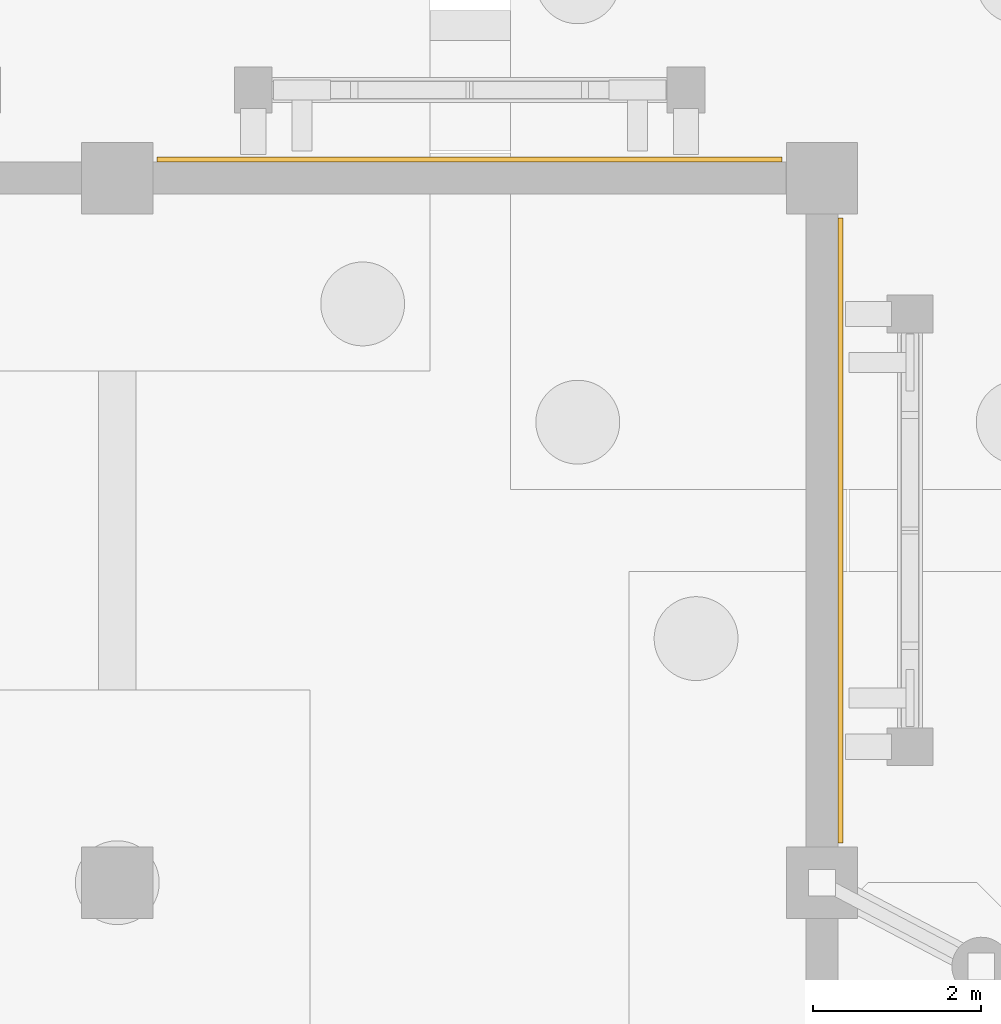
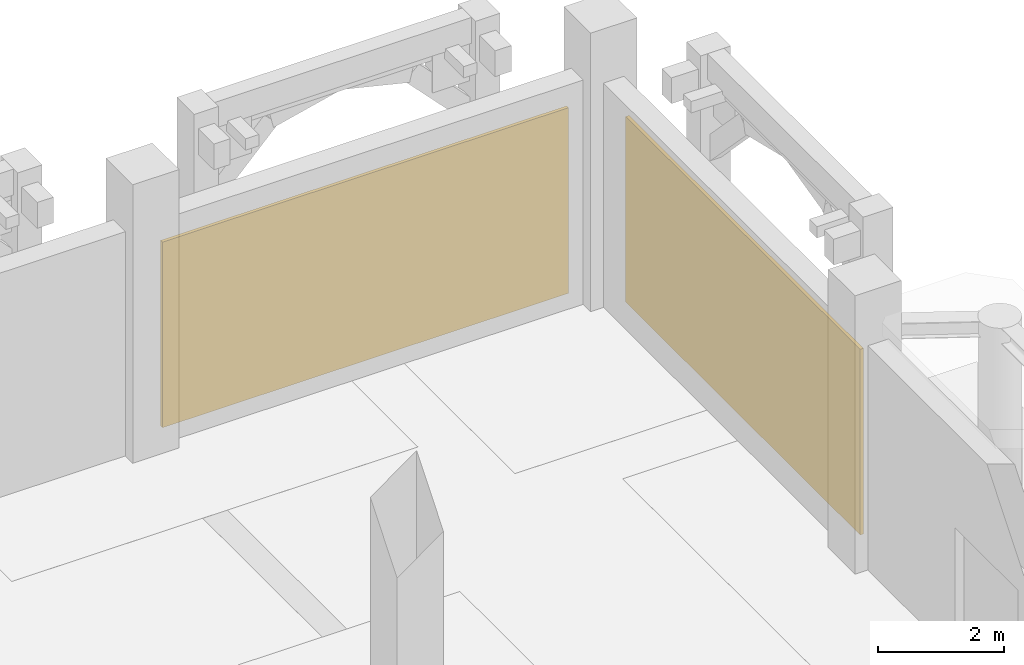
# One storey, part 97 of 98: 2 coverings.
"""IFC4 building model written with IfcOpenShell, lengths in metres."""

from ifc_helpers import new_model, si_unit, direction, frame, origin, origin_2d, place, context, subcontext, project, spatial, rectangle, extrude, material, layer, layer_set, type_object, element, save


model = new_model("IFC4")

# Units and contexts
model_context = context("Model", 3, precision=1e-05, world=origin(), true_north=direction((0.0, 1.0)))
body_context = subcontext(model_context, "Body", "Model", "MODEL_VIEW")
ifc_project = project(units=[si_unit("LENGTHUNIT", "METRE"), si_unit("AREAUNIT", "SQUARE_METRE"), si_unit("VOLUMEUNIT", "CUBIC_METRE"), si_unit("PLANEANGLEUNIT", "RADIAN"), si_unit("MASSUNIT", "GRAM", prefix="KILO")], contexts=[model_context])

# Site, building, storey
site_placement = place(None, origin())
site = spatial("IfcSite", under=ifc_project, at=site_placement, CompositionType="ELEMENT")
building_placement = place(site_placement, origin())
building = spatial("IfcBuilding", under=site, at=building_placement, Name="Xazarin Passage Department Store", CompositionType="ELEMENT")
storey_placement = place(building_placement, origin())
storey = spatial("IfcBuildingStorey", under=building, at=storey_placement, Name="L00", CompositionType="ELEMENT", Elevation=0.0)

# Coverings
ifc_material = material(Name="Absheron limestone cladding", Category="masonry")
ifc_layer = layer(ifc_material, 0.06005859375)
ifc_layer_set = layer_set([ifc_layer], Name="Absheron limestone cladding")
covering_type = type_object("IfcCoveringType", Name="ARC-COV-CLD060", PredefinedType="CLADDING", material=ifc_layer_set)
for number, where, z_axis, x_axis, name in (
    (1, (165.39990234375, 110.219970703125, 0.0), (0.0, 0.0, 1.0), (1.0, 0.0, 0.0), "L00 Absheron Limestone Plinth Cladding 262"),
    (2, (169.820068359375, 105.800048828125, 0.0), (0.0, 0.0, 1.0), (0.0, 1.0, 0.0), "L00 Absheron Limestone Plinth Cladding 270"),
):
    element("IfcCovering", number, at=place(storey_placement, frame(where, z_axis=z_axis, x_axis=x_axis)), inside=storey, type_object=covering_type, Name=name, PredefinedType="CLADDING", context=body_context, shape_type="SweptSolid", body=[
        extrude(rectangle(XDim=7.449951171875, YDim=0.06005859375, at=origin_2d()), origin(), (0.0, 0.0, 1.0), 3.60009765625),
    ])

save(model, "model.ifc")
